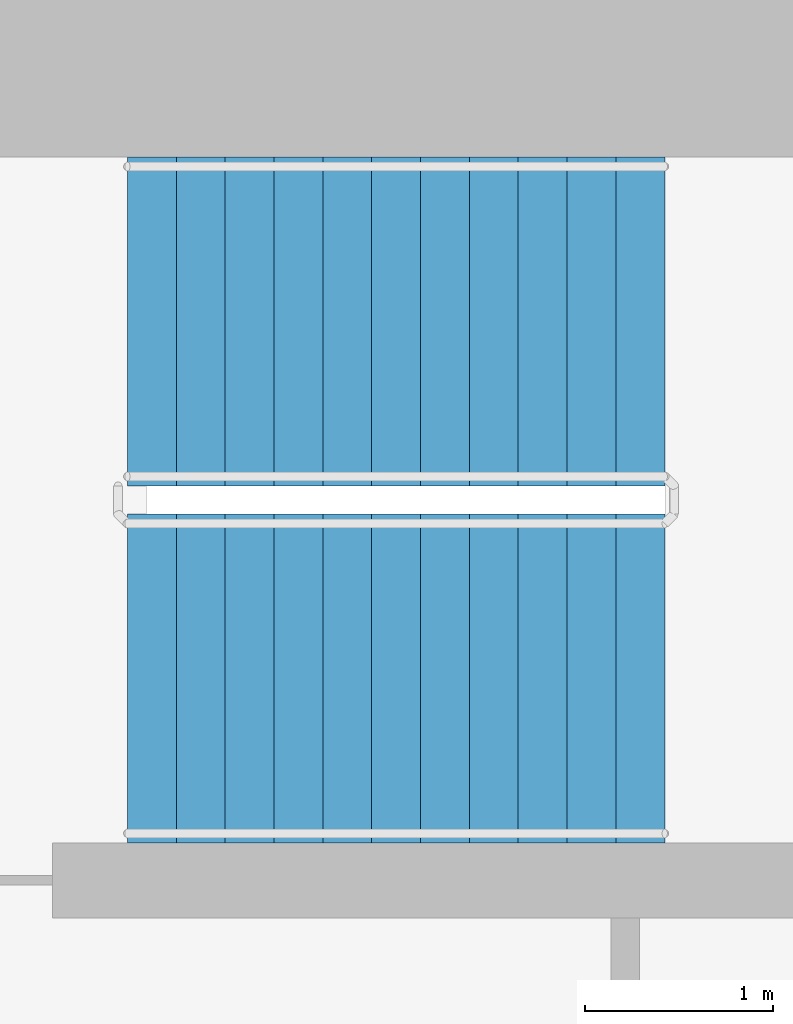
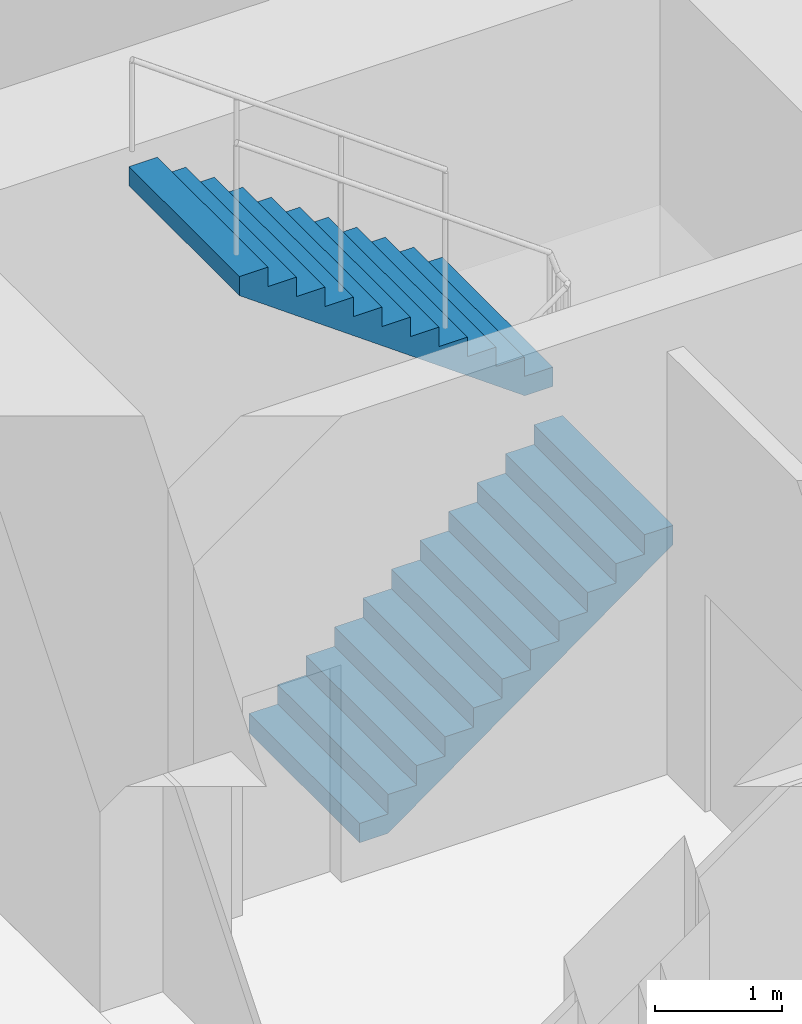
# One storey, part 35 of 51: 2 stair flights, 1 element without a shape of its own.
"""IFC4 building model written with IfcOpenShell, lengths in metres."""

from ifc_helpers import new_model, si_unit, direction, frame, origin, place, context, subcontext, project, spatial, faceted_brep, material, type_object, element, aggregate, save


model = new_model("IFC4")

# Units and contexts
model_context = context("Model", 3, precision=1e-05, world=origin(), true_north=direction((0.0, 1.0)))
body_context = subcontext(model_context, "Body", "Model", "MODEL_VIEW")
ifc_project = project(units=[si_unit("LENGTHUNIT", "METRE"), si_unit("AREAUNIT", "SQUARE_METRE"), si_unit("VOLUMEUNIT", "CUBIC_METRE"), si_unit("PLANEANGLEUNIT", "RADIAN"), si_unit("MASSUNIT", "GRAM", prefix="KILO")], contexts=[model_context])

# Site, building, storey
site_placement = place(None, origin())
site = spatial("IfcSite", under=ifc_project, at=site_placement, CompositionType="ELEMENT")
building_placement = place(site_placement, origin())
building = spatial("IfcBuilding", under=site, at=building_placement, Name="Ipe Terrace Towers", CompositionType="ELEMENT")
storey_placement = place(building_placement, frame((0.0, 0.0, 15.5)))
storey = spatial("IfcBuildingStorey", under=building, at=storey_placement, Name="L03", CompositionType="ELEMENT", Elevation=15.5)

# Stair, stair flights
ifc_material_1 = material(Name="Concrete C30/37", Category="concrete")
stair_type = type_object("IfcStairType", Name="Protected exit stair", PredefinedType="HALF_TURN_STAIR", material=ifc_material_1)
stair_placement = place(storey_placement, origin())
stair = element("IfcStair", 1, at=stair_placement, inside=storey, type_object=stair_type, Name="L03 Exit stair T1-C1", PredefinedType="HALF_TURN_STAIR")
ifc_material_2 = material(Name="Concrete C30/37", Category="concrete")
stair_flight_type = type_object("IfcStairFlightType", Name="Exit stair flight 1750", PredefinedType="STRAIGHT", material=ifc_material_2)
stair_flight_1_placement = place(storey_placement, frame((-26.300048828125, 2.77490234375, 0.0), z_axis=(0.0, 0.0, 1.0), x_axis=(1.0, 0.0, 0.0)))
stair_flight_1 = element("IfcStairFlight", 2, at=stair_flight_1_placement, type_object=stair_flight_type, Name="T1-ST1 flight 1", NumberOfRisers=12, NumberOfTreads=11, PredefinedType="STRAIGHT", RiserHeight=0.1875, TreadLength=0.26, context=body_context, shape_type="Brep", body=[
    faceted_brep([(0.25634765625, -0.875, 0.0), (2.860107421875, -0.875, 1.877685546875), (2.860107421875, -0.875, 2.0625), (2.60009765625, -0.875, 2.0625), (2.60009765625, -0.875, 1.875), (2.340087890625, -0.875, 1.875), (2.340087890625, -0.875, 1.6875), (2.080078125, -0.875, 1.6875), (2.080078125, -0.875, 1.5), (1.820068359375, -0.875, 1.5), (1.820068359375, -0.875, 1.3125), (1.56005859375, -0.875, 1.3125), (1.56005859375, -0.875, 1.125), (1.300048828125, -0.875, 1.125), (1.300048828125, -0.875, 0.9375), (1.0400390625, -0.875, 0.9375), (1.0400390625, -0.875, 0.75), (0.780029296875, -0.875, 0.75), (0.780029296875, -0.875, 0.5625), (0.52001953125, -0.875, 0.5625), (0.52001953125, -0.875, 0.375), (0.260009765625, -0.875, 0.375), (0.260009765625, -0.875, 0.1875), (0.0, -0.875, 0.1875), (0.0, -0.875, 0.0), (0.0, 0.875, 0.0), (0.0, 0.875, 0.1875), (0.260009765625, 0.875, 0.1875), (0.260009765625, 0.875, 0.375), (0.52001953125, 0.875, 0.375), (0.52001953125, 0.875, 0.5625), (0.780029296875, 0.875, 0.5625), (0.780029296875, 0.875, 0.75), (1.0400390625, 0.875, 0.75), (1.0400390625, 0.875, 0.9375), (1.300048828125, 0.875, 0.9375), (1.300048828125, 0.875, 1.125), (1.56005859375, 0.875, 1.125), (1.56005859375, 0.875, 1.3125), (1.820068359375, 0.875, 1.3125), (1.820068359375, 0.875, 1.5), (2.080078125, 0.875, 1.5), (2.080078125, 0.875, 1.6875), (2.340087890625, 0.875, 1.6875), (2.340087890625, 0.875, 1.875), (2.60009765625, 0.875, 1.875), (2.60009765625, 0.875, 2.0625), (2.860107421875, 0.875, 2.0625), (2.860107421875, 0.875, 1.877685546875), (0.25634765625, 0.875, 0.0), (0.0, -0.300048828125, 0.1875), (0.0, -0.1201171875, 0.1875), (0.0, -0.06005859375, 0.1875), (0.0, -0.030029296875, 0.1875), (0.0, -0.010009765625, 0.1875), (0.0, 0.0, 0.1875), (0.0, 0.010009765625, 0.1875), (0.0, 0.030029296875, 0.1875), (0.0, 0.06005859375, 0.1875), (0.0, 0.1201171875, 0.1875), (0.0, 0.300048828125, 0.1875), (0.0, 0.300048828125, 0.0), (0.0, 0.1201171875, 0.0), (0.0, 0.06005859375, 0.0), (0.0, 0.030029296875, 0.0), (0.0, 0.010009765625, 0.0), (0.0, 0.0, 0.0), (0.0, -0.010009765625, 0.0), (0.0, -0.030029296875, 0.0), (0.0, -0.06005859375, 0.0), (0.0, -0.1201171875, 0.0), (0.0, -0.300048828125, 0.0), (0.260009765625, -0.300048828125, 0.1875), (0.260009765625, -0.1201171875, 0.1875), (0.260009765625, -0.06005859375, 0.1875), (0.260009765625, -0.030029296875, 0.1875), (0.260009765625, -0.010009765625, 0.1875), (0.260009765625, 0.0, 0.1875), (0.260009765625, 0.010009765625, 0.1875), (0.260009765625, 0.030029296875, 0.1875), (0.260009765625, 0.06005859375, 0.1875), (0.260009765625, 0.1201171875, 0.1875), (0.260009765625, 0.300048828125, 0.1875), (0.260009765625, -0.300048828125, 0.375), (0.260009765625, -0.1201171875, 0.375), (0.260009765625, -0.06005859375, 0.375), (0.260009765625, -0.030029296875, 0.375), (0.260009765625, -0.010009765625, 0.375), (0.260009765625, 0.0, 0.375), (0.260009765625, 0.010009765625, 0.375), (0.260009765625, 0.030029296875, 0.375), (0.260009765625, 0.06005859375, 0.375), (0.260009765625, 0.1201171875, 0.375), (0.260009765625, 0.300048828125, 0.375), (0.52001953125, -0.300048828125, 0.375), (0.52001953125, -0.1201171875, 0.375), (0.52001953125, -0.06005859375, 0.375), (0.52001953125, -0.030029296875, 0.375), (0.52001953125, -0.010009765625, 0.375), (0.52001953125, 0.0, 0.375), (0.52001953125, 0.010009765625, 0.375), (0.52001953125, 0.030029296875, 0.375), (0.52001953125, 0.06005859375, 0.375), (0.52001953125, 0.1201171875, 0.375), (0.52001953125, 0.300048828125, 0.375), (0.52001953125, -0.300048828125, 0.5625), (0.52001953125, -0.1201171875, 0.5625), (0.52001953125, -0.06005859375, 0.5625), (0.52001953125, -0.030029296875, 0.5625), (0.52001953125, -0.010009765625, 0.5625), (0.52001953125, 0.0, 0.5625), (0.52001953125, 0.010009765625, 0.5625), (0.52001953125, 0.030029296875, 0.5625), (0.52001953125, 0.06005859375, 0.5625), (0.52001953125, 0.1201171875, 0.5625), (0.52001953125, 0.300048828125, 0.5625), (0.780029296875, -0.300048828125, 0.5625), (0.780029296875, -0.1201171875, 0.5625), (0.780029296875, -0.06005859375, 0.5625), (0.780029296875, -0.030029296875, 0.5625), (0.780029296875, -0.010009765625, 0.5625), (0.780029296875, 0.0, 0.5625), (0.780029296875, 0.010009765625, 0.5625), (0.780029296875, 0.030029296875, 0.5625), (0.780029296875, 0.06005859375, 0.5625), (0.780029296875, 0.1201171875, 0.5625), (0.780029296875, 0.300048828125, 0.5625), (0.780029296875, -0.300048828125, 0.75), (0.780029296875, -0.1201171875, 0.75), (0.780029296875, -0.06005859375, 0.75), (0.780029296875, -0.030029296875, 0.75), (0.780029296875, -0.010009765625, 0.75), (0.780029296875, 0.0, 0.75), (0.780029296875, 0.010009765625, 0.75), (0.780029296875, 0.030029296875, 0.75), (0.780029296875, 0.06005859375, 0.75), (0.780029296875, 0.1201171875, 0.75), (0.780029296875, 0.300048828125, 0.75), (1.0400390625, -0.300048828125, 0.75), (1.0400390625, -0.1201171875, 0.75), (1.0400390625, -0.06005859375, 0.75), (1.0400390625, -0.030029296875, 0.75), (1.0400390625, -0.010009765625, 0.75), (1.0400390625, 0.0, 0.75), (1.0400390625, 0.010009765625, 0.75), (1.0400390625, 0.030029296875, 0.75), (1.0400390625, 0.06005859375, 0.75), (1.0400390625, 0.1201171875, 0.75), (1.0400390625, 0.300048828125, 0.75), (1.0400390625, -0.300048828125, 0.9375), (1.0400390625, -0.1201171875, 0.9375), (1.0400390625, -0.06005859375, 0.9375), (1.0400390625, -0.030029296875, 0.9375), (1.0400390625, -0.010009765625, 0.9375), (1.0400390625, 0.0, 0.9375), (1.0400390625, 0.010009765625, 0.9375), (1.0400390625, 0.030029296875, 0.9375), (1.0400390625, 0.06005859375, 0.9375), (1.0400390625, 0.1201171875, 0.9375), (1.0400390625, 0.300048828125, 0.9375), (1.300048828125, -0.300048828125, 0.9375), (1.300048828125, -0.1201171875, 0.9375), (1.300048828125, -0.06005859375, 0.9375), (1.300048828125, -0.030029296875, 0.9375), (1.300048828125, -0.010009765625, 0.9375), (1.300048828125, 0.0, 0.9375), (1.300048828125, 0.010009765625, 0.9375), (1.300048828125, 0.030029296875, 0.9375), (1.300048828125, 0.06005859375, 0.9375), (1.300048828125, 0.1201171875, 0.9375), (1.300048828125, 0.300048828125, 0.9375), (1.300048828125, -0.300048828125, 1.125), (1.300048828125, -0.1201171875, 1.125), (1.300048828125, -0.06005859375, 1.125), (1.300048828125, -0.030029296875, 1.125), (1.300048828125, -0.010009765625, 1.125), (1.300048828125, 0.0, 1.125), (1.300048828125, 0.010009765625, 1.125), (1.300048828125, 0.030029296875, 1.125), (1.300048828125, 0.06005859375, 1.125), (1.300048828125, 0.1201171875, 1.125), (1.300048828125, 0.300048828125, 1.125), (1.56005859375, -0.300048828125, 1.125), (1.56005859375, -0.1201171875, 1.125), (1.56005859375, -0.06005859375, 1.125), (1.56005859375, -0.030029296875, 1.125), (1.56005859375, -0.010009765625, 1.125), (1.56005859375, 0.0, 1.125), (1.56005859375, 0.010009765625, 1.125), (1.56005859375, 0.030029296875, 1.125), (1.56005859375, 0.06005859375, 1.125), (1.56005859375, 0.1201171875, 1.125), (1.56005859375, 0.300048828125, 1.125), (1.56005859375, -0.300048828125, 1.3125), (1.56005859375, -0.1201171875, 1.3125), (1.56005859375, -0.06005859375, 1.3125), (1.56005859375, -0.030029296875, 1.3125), (1.56005859375, -0.010009765625, 1.3125), (1.56005859375, 0.0, 1.3125), (1.56005859375, 0.010009765625, 1.3125), (1.56005859375, 0.030029296875, 1.3125), (1.56005859375, 0.06005859375, 1.3125), (1.56005859375, 0.1201171875, 1.3125), (1.56005859375, 0.300048828125, 1.3125), (1.820068359375, -0.300048828125, 1.3125), (1.820068359375, -0.1201171875, 1.3125), (1.820068359375, -0.06005859375, 1.3125), (1.820068359375, -0.030029296875, 1.3125), (1.820068359375, -0.010009765625, 1.3125), (1.820068359375, 0.0, 1.3125), (1.820068359375, 0.010009765625, 1.3125), (1.820068359375, 0.030029296875, 1.3125), (1.820068359375, 0.06005859375, 1.3125), (1.820068359375, 0.1201171875, 1.3125), (1.820068359375, 0.300048828125, 1.3125), (1.820068359375, -0.300048828125, 1.5), (1.820068359375, -0.1201171875, 1.5), (1.820068359375, -0.06005859375, 1.5), (1.820068359375, -0.030029296875, 1.5), (1.820068359375, -0.010009765625, 1.5), (1.820068359375, 0.0, 1.5), (1.820068359375, 0.010009765625, 1.5), (1.820068359375, 0.030029296875, 1.5), (1.820068359375, 0.06005859375, 1.5), (1.820068359375, 0.1201171875, 1.5), (1.820068359375, 0.300048828125, 1.5), (2.080078125, -0.300048828125, 1.5), (2.080078125, -0.1201171875, 1.5), (2.080078125, -0.06005859375, 1.5), (2.080078125, -0.030029296875, 1.5), (2.080078125, -0.010009765625, 1.5), (2.080078125, 0.0, 1.5), (2.080078125, 0.010009765625, 1.5), (2.080078125, 0.030029296875, 1.5), (2.080078125, 0.06005859375, 1.5), (2.080078125, 0.1201171875, 1.5), (2.080078125, 0.300048828125, 1.5), (2.080078125, -0.300048828125, 1.6875), (2.080078125, -0.1201171875, 1.6875), (2.080078125, -0.06005859375, 1.6875), (2.080078125, -0.030029296875, 1.6875), (2.080078125, -0.010009765625, 1.6875), (2.080078125, 0.0, 1.6875), (2.080078125, 0.010009765625, 1.6875), (2.080078125, 0.030029296875, 1.6875), (2.080078125, 0.06005859375, 1.6875), (2.080078125, 0.1201171875, 1.6875), (2.080078125, 0.300048828125, 1.6875), (2.340087890625, -0.300048828125, 1.6875), (2.340087890625, -0.1201171875, 1.6875), (2.340087890625, -0.06005859375, 1.6875), (2.340087890625, -0.030029296875, 1.6875), (2.340087890625, -0.010009765625, 1.6875), (2.340087890625, 0.0, 1.6875), (2.340087890625, 0.010009765625, 1.6875), (2.340087890625, 0.030029296875, 1.6875), (2.340087890625, 0.06005859375, 1.6875), (2.340087890625, 0.1201171875, 1.6875), (2.340087890625, 0.300048828125, 1.6875), (2.340087890625, -0.300048828125, 1.875), (2.340087890625, -0.1201171875, 1.875), (2.340087890625, -0.06005859375, 1.875), (2.340087890625, -0.030029296875, 1.875), (2.340087890625, -0.010009765625, 1.875), (2.340087890625, 0.0, 1.875), (2.340087890625, 0.010009765625, 1.875), (2.340087890625, 0.030029296875, 1.875), (2.340087890625, 0.06005859375, 1.875), (2.340087890625, 0.1201171875, 1.875), (2.340087890625, 0.300048828125, 1.875), (2.60009765625, -0.300048828125, 1.875), (2.60009765625, -0.1201171875, 1.875), (2.60009765625, -0.06005859375, 1.875), (2.60009765625, -0.030029296875, 1.875), (2.60009765625, -0.010009765625, 1.875), (2.60009765625, 0.0, 1.875), (2.60009765625, 0.010009765625, 1.875), (2.60009765625, 0.030029296875, 1.875), (2.60009765625, 0.06005859375, 1.875), (2.60009765625, 0.1201171875, 1.875), (2.60009765625, 0.300048828125, 1.875), (2.60009765625, -0.300048828125, 2.0625), (2.60009765625, -0.1201171875, 2.0625), (2.60009765625, -0.06005859375, 2.0625), (2.60009765625, -0.030029296875, 2.0625), (2.60009765625, -0.010009765625, 2.0625), (2.60009765625, 0.0, 2.0625), (2.60009765625, 0.010009765625, 2.0625), (2.60009765625, 0.030029296875, 2.0625), (2.60009765625, 0.06005859375, 2.0625), (2.60009765625, 0.1201171875, 2.0625), (2.60009765625, 0.300048828125, 2.0625), (2.860107421875, -0.300048828125, 2.0625), (2.860107421875, -0.1201171875, 2.0625), (2.860107421875, -0.06005859375, 2.0625), (2.860107421875, -0.030029296875, 2.0625), (2.860107421875, -0.010009765625, 2.0625), (2.860107421875, 0.0, 2.0625), (2.860107421875, 0.010009765625, 2.0625), (2.860107421875, 0.030029296875, 2.0625), (2.860107421875, 0.06005859375, 2.0625), (2.860107421875, 0.1201171875, 2.0625), (2.860107421875, 0.300048828125, 2.0625), (2.860107421875, -0.300048828125, 1.877685546875), (2.860107421875, -0.1201171875, 1.877685546875), (2.860107421875, -0.06005859375, 1.877685546875), (2.860107421875, -0.030029296875, 1.877685546875), (2.860107421875, -0.010009765625, 1.877685546875), (2.860107421875, 0.0, 1.877685546875), (2.860107421875, 0.010009765625, 1.877685546875), (2.860107421875, 0.030029296875, 1.877685546875), (2.860107421875, 0.06005859375, 1.877685546875), (2.860107421875, 0.1201171875, 1.877685546875), (2.860107421875, 0.300048828125, 1.877685546875), (0.25634765625, -0.300048828125, 0.0), (0.25634765625, -0.1201171875, 0.0), (0.25634765625, -0.06005859375, 0.0), (0.25634765625, -0.030029296875, 0.0), (0.25634765625, -0.010009765625, 0.0), (0.25634765625, 0.0, 0.0), (0.25634765625, 0.010009765625, 0.0), (0.25634765625, 0.030029296875, 0.0), (0.25634765625, 0.06005859375, 0.0), (0.25634765625, 0.1201171875, 0.0), (0.25634765625, 0.300048828125, 0.0)], [[[0, 1, 2, 3, 4, 5, 6, 7, 8, 9, 10, 11, 12, 13, 14, 15, 16, 17, 18, 19, 20, 21, 22, 23, 24]], [[25, 26, 27, 28, 29, 30, 31, 32, 33, 34, 35, 36, 37, 38, 39, 40, 41, 42, 43, 44, 45, 46, 47, 48, 49]], [[23, 50, 51, 52, 53, 54, 55, 56, 57, 58, 59, 60, 26, 25, 61, 62, 63, 64, 65, 66, 67, 68, 69, 70, 71, 24]], [[22, 72, 73, 74, 75, 76, 77, 78, 79, 80, 81, 82, 27, 26, 60, 59, 58, 57, 56, 55, 54, 53, 52, 51, 50, 23]], [[21, 83, 84, 85, 86, 87, 88, 89, 90, 91, 92, 93, 28, 27, 82, 81, 80, 79, 78, 77, 76, 75, 74, 73, 72, 22]], [[20, 94, 95, 96, 97, 98, 99, 100, 101, 102, 103, 104, 29, 28, 93, 92, 91, 90, 89, 88, 87, 86, 85, 84, 83, 21]], [[19, 105, 106, 107, 108, 109, 110, 111, 112, 113, 114, 115, 30, 29, 104, 103, 102, 101, 100, 99, 98, 97, 96, 95, 94, 20]], [[18, 116, 117, 118, 119, 120, 121, 122, 123, 124, 125, 126, 31, 30, 115, 114, 113, 112, 111, 110, 109, 108, 107, 106, 105, 19]], [[17, 127, 128, 129, 130, 131, 132, 133, 134, 135, 136, 137, 32, 31, 126, 125, 124, 123, 122, 121, 120, 119, 118, 117, 116, 18]], [[16, 138, 139, 140, 141, 142, 143, 144, 145, 146, 147, 148, 33, 32, 137, 136, 135, 134, 133, 132, 131, 130, 129, 128, 127, 17]], [[15, 149, 150, 151, 152, 153, 154, 155, 156, 157, 158, 159, 34, 33, 148, 147, 146, 145, 144, 143, 142, 141, 140, 139, 138, 16]], [[14, 160, 161, 162, 163, 164, 165, 166, 167, 168, 169, 170, 35, 34, 159, 158, 157, 156, 155, 154, 153, 152, 151, 150, 149, 15]], [[13, 171, 172, 173, 174, 175, 176, 177, 178, 179, 180, 181, 36, 35, 170, 169, 168, 167, 166, 165, 164, 163, 162, 161, 160, 14]], [[12, 182, 183, 184, 185, 186, 187, 188, 189, 190, 191, 192, 37, 36, 181, 180, 179, 178, 177, 176, 175, 174, 173, 172, 171, 13]], [[11, 193, 194, 195, 196, 197, 198, 199, 200, 201, 202, 203, 38, 37, 192, 191, 190, 189, 188, 187, 186, 185, 184, 183, 182, 12]], [[10, 204, 205, 206, 207, 208, 209, 210, 211, 212, 213, 214, 39, 38, 203, 202, 201, 200, 199, 198, 197, 196, 195, 194, 193, 11]], [[9, 215, 216, 217, 218, 219, 220, 221, 222, 223, 224, 225, 40, 39, 214, 213, 212, 211, 210, 209, 208, 207, 206, 205, 204, 10]], [[8, 226, 227, 228, 229, 230, 231, 232, 233, 234, 235, 236, 41, 40, 225, 224, 223, 222, 221, 220, 219, 218, 217, 216, 215, 9]], [[7, 237, 238, 239, 240, 241, 242, 243, 244, 245, 246, 247, 42, 41, 236, 235, 234, 233, 232, 231, 230, 229, 228, 227, 226, 8]], [[6, 248, 249, 250, 251, 252, 253, 254, 255, 256, 257, 258, 43, 42, 247, 246, 245, 244, 243, 242, 241, 240, 239, 238, 237, 7]], [[5, 259, 260, 261, 262, 263, 264, 265, 266, 267, 268, 269, 44, 43, 258, 257, 256, 255, 254, 253, 252, 251, 250, 249, 248, 6]], [[4, 270, 271, 272, 273, 274, 275, 276, 277, 278, 279, 280, 45, 44, 269, 268, 267, 266, 265, 264, 263, 262, 261, 260, 259, 5]], [[3, 281, 282, 283, 284, 285, 286, 287, 288, 289, 290, 291, 46, 45, 280, 279, 278, 277, 276, 275, 274, 273, 272, 271, 270, 4]], [[2, 292, 293, 294, 295, 296, 297, 298, 299, 300, 301, 302, 47, 46, 291, 290, 289, 288, 287, 286, 285, 284, 283, 282, 281, 3]], [[1, 303, 304, 305, 306, 307, 308, 309, 310, 311, 312, 313, 48, 47, 302, 301, 300, 299, 298, 297, 296, 295, 294, 293, 292, 2]], [[0, 314, 315, 316, 317, 318, 319, 320, 321, 322, 323, 324, 49, 48, 313, 312, 311, 310, 309, 308, 307, 306, 305, 304, 303, 1]], [[24, 71, 70, 69, 68, 67, 66, 65, 64, 63, 62, 61, 25, 49, 324, 323, 322, 321, 320, 319, 318, 317, 316, 315, 314, 0]]]),
])
stair_flight_2_placement = place(storey_placement, frame((-23.43994140625, 4.675048828125, 2.25), z_axis=(0.0, 0.0, 1.0), x_axis=(-1.0, 0.0, 0.0)))
stair_flight_2 = element("IfcStairFlight", 3, at=stair_flight_2_placement, type_object=stair_flight_type, Name="T1-ST1 flight 2", NumberOfRisers=12, NumberOfTreads=11, PredefinedType="STRAIGHT", RiserHeight=0.1875, TreadLength=0.26, context=body_context, shape_type="Brep", body=[
    faceted_brep([(0.25634765625, -0.875, 0.0), (2.860107421875, -0.875, 1.877685546875), (2.860107421875, -0.875, 2.0625), (2.60009765625, -0.875, 2.0625), (2.60009765625, -0.875, 1.875), (2.340087890625, -0.875, 1.875), (2.340087890625, -0.875, 1.6875), (2.080078125, -0.875, 1.6875), (2.080078125, -0.875, 1.5), (1.820068359375, -0.875, 1.5), (1.820068359375, -0.875, 1.3125), (1.56005859375, -0.875, 1.3125), (1.56005859375, -0.875, 1.125), (1.300048828125, -0.875, 1.125), (1.300048828125, -0.875, 0.9375), (1.0400390625, -0.875, 0.9375), (1.0400390625, -0.875, 0.75), (0.780029296875, -0.875, 0.75), (0.780029296875, -0.875, 0.5625), (0.52001953125, -0.875, 0.5625), (0.52001953125, -0.875, 0.375), (0.260009765625, -0.875, 0.375), (0.260009765625, -0.875, 0.1875), (0.0, -0.875, 0.1875), (0.0, -0.875, 0.0), (0.0, 0.875, 0.0), (0.0, 0.875, 0.1875), (0.260009765625, 0.875, 0.1875), (0.260009765625, 0.875, 0.375), (0.52001953125, 0.875, 0.375), (0.52001953125, 0.875, 0.5625), (0.780029296875, 0.875, 0.5625), (0.780029296875, 0.875, 0.75), (1.0400390625, 0.875, 0.75), (1.0400390625, 0.875, 0.9375), (1.300048828125, 0.875, 0.9375), (1.300048828125, 0.875, 1.125), (1.56005859375, 0.875, 1.125), (1.56005859375, 0.875, 1.3125), (1.820068359375, 0.875, 1.3125), (1.820068359375, 0.875, 1.5), (2.080078125, 0.875, 1.5), (2.080078125, 0.875, 1.6875), (2.340087890625, 0.875, 1.6875), (2.340087890625, 0.875, 1.875), (2.60009765625, 0.875, 1.875), (2.60009765625, 0.875, 2.0625), (2.860107421875, 0.875, 2.0625), (2.860107421875, 0.875, 1.877685546875), (0.25634765625, 0.875, 0.0), (0.0, -0.300048828125, 0.1875), (0.0, -0.1201171875, 0.1875), (0.0, -0.06005859375, 0.1875), (0.0, -0.030029296875, 0.1875), (0.0, -0.010009765625, 0.1875), (0.0, 0.0, 0.1875), (0.0, 0.010009765625, 0.1875), (0.0, 0.030029296875, 0.1875), (0.0, 0.06005859375, 0.1875), (0.0, 0.1201171875, 0.1875), (0.0, 0.300048828125, 0.1875), (0.0, 0.300048828125, 0.0), (0.0, 0.1201171875, 0.0), (0.0, 0.06005859375, 0.0), (0.0, 0.030029296875, 0.0), (0.0, 0.010009765625, 0.0), (0.0, 0.0, 0.0), (0.0, -0.010009765625, 0.0), (0.0, -0.030029296875, 0.0), (0.0, -0.06005859375, 0.0), (0.0, -0.1201171875, 0.0), (0.0, -0.300048828125, 0.0), (0.260009765625, -0.300048828125, 0.1875), (0.260009765625, -0.1201171875, 0.1875), (0.260009765625, -0.06005859375, 0.1875), (0.260009765625, -0.030029296875, 0.1875), (0.260009765625, -0.010009765625, 0.1875), (0.260009765625, 0.0, 0.1875), (0.260009765625, 0.010009765625, 0.1875), (0.260009765625, 0.030029296875, 0.1875), (0.260009765625, 0.06005859375, 0.1875), (0.260009765625, 0.1201171875, 0.1875), (0.260009765625, 0.300048828125, 0.1875), (0.260009765625, -0.300048828125, 0.375), (0.260009765625, -0.1201171875, 0.375), (0.260009765625, -0.06005859375, 0.375), (0.260009765625, -0.030029296875, 0.375), (0.260009765625, -0.010009765625, 0.375), (0.260009765625, 0.0, 0.375), (0.260009765625, 0.010009765625, 0.375), (0.260009765625, 0.030029296875, 0.375), (0.260009765625, 0.06005859375, 0.375), (0.260009765625, 0.1201171875, 0.375), (0.260009765625, 0.300048828125, 0.375), (0.52001953125, -0.300048828125, 0.375), (0.52001953125, -0.1201171875, 0.375), (0.52001953125, -0.06005859375, 0.375), (0.52001953125, -0.030029296875, 0.375), (0.52001953125, -0.010009765625, 0.375), (0.52001953125, 0.0, 0.375), (0.52001953125, 0.010009765625, 0.375), (0.52001953125, 0.030029296875, 0.375), (0.52001953125, 0.06005859375, 0.375), (0.52001953125, 0.1201171875, 0.375), (0.52001953125, 0.300048828125, 0.375), (0.52001953125, -0.300048828125, 0.5625), (0.52001953125, -0.1201171875, 0.5625), (0.52001953125, -0.06005859375, 0.5625), (0.52001953125, -0.030029296875, 0.5625), (0.52001953125, -0.010009765625, 0.5625), (0.52001953125, 0.0, 0.5625), (0.52001953125, 0.010009765625, 0.5625), (0.52001953125, 0.030029296875, 0.5625), (0.52001953125, 0.06005859375, 0.5625), (0.52001953125, 0.1201171875, 0.5625), (0.52001953125, 0.300048828125, 0.5625), (0.780029296875, -0.300048828125, 0.5625), (0.780029296875, -0.1201171875, 0.5625), (0.780029296875, -0.06005859375, 0.5625), (0.780029296875, -0.030029296875, 0.5625), (0.780029296875, -0.010009765625, 0.5625), (0.780029296875, 0.0, 0.5625), (0.780029296875, 0.010009765625, 0.5625), (0.780029296875, 0.030029296875, 0.5625), (0.780029296875, 0.06005859375, 0.5625), (0.780029296875, 0.1201171875, 0.5625), (0.780029296875, 0.300048828125, 0.5625), (0.780029296875, -0.300048828125, 0.75), (0.780029296875, -0.1201171875, 0.75), (0.780029296875, -0.06005859375, 0.75), (0.780029296875, -0.030029296875, 0.75), (0.780029296875, -0.010009765625, 0.75), (0.780029296875, 0.0, 0.75), (0.780029296875, 0.010009765625, 0.75), (0.780029296875, 0.030029296875, 0.75), (0.780029296875, 0.06005859375, 0.75), (0.780029296875, 0.1201171875, 0.75), (0.780029296875, 0.300048828125, 0.75), (1.0400390625, -0.300048828125, 0.75), (1.0400390625, -0.1201171875, 0.75), (1.0400390625, -0.06005859375, 0.75), (1.0400390625, -0.030029296875, 0.75), (1.0400390625, -0.010009765625, 0.75), (1.0400390625, 0.0, 0.75), (1.0400390625, 0.010009765625, 0.75), (1.0400390625, 0.030029296875, 0.75), (1.0400390625, 0.06005859375, 0.75), (1.0400390625, 0.1201171875, 0.75), (1.0400390625, 0.300048828125, 0.75), (1.0400390625, -0.300048828125, 0.9375), (1.0400390625, -0.1201171875, 0.9375), (1.0400390625, -0.06005859375, 0.9375), (1.0400390625, -0.030029296875, 0.9375), (1.0400390625, -0.010009765625, 0.9375), (1.0400390625, 0.0, 0.9375), (1.0400390625, 0.010009765625, 0.9375), (1.0400390625, 0.030029296875, 0.9375), (1.0400390625, 0.06005859375, 0.9375), (1.0400390625, 0.1201171875, 0.9375), (1.0400390625, 0.300048828125, 0.9375), (1.300048828125, -0.300048828125, 0.9375), (1.300048828125, -0.1201171875, 0.9375), (1.300048828125, -0.06005859375, 0.9375), (1.300048828125, -0.030029296875, 0.9375), (1.300048828125, -0.010009765625, 0.9375), (1.300048828125, 0.0, 0.9375), (1.300048828125, 0.010009765625, 0.9375), (1.300048828125, 0.030029296875, 0.9375), (1.300048828125, 0.06005859375, 0.9375), (1.300048828125, 0.1201171875, 0.9375), (1.300048828125, 0.300048828125, 0.9375), (1.300048828125, -0.300048828125, 1.125), (1.300048828125, -0.1201171875, 1.125), (1.300048828125, -0.06005859375, 1.125), (1.300048828125, -0.030029296875, 1.125), (1.300048828125, -0.010009765625, 1.125), (1.300048828125, 0.0, 1.125), (1.300048828125, 0.010009765625, 1.125), (1.300048828125, 0.030029296875, 1.125), (1.300048828125, 0.06005859375, 1.125), (1.300048828125, 0.1201171875, 1.125), (1.300048828125, 0.300048828125, 1.125), (1.56005859375, -0.300048828125, 1.125), (1.56005859375, -0.1201171875, 1.125), (1.56005859375, -0.06005859375, 1.125), (1.56005859375, -0.030029296875, 1.125), (1.56005859375, -0.010009765625, 1.125), (1.56005859375, 0.0, 1.125), (1.56005859375, 0.010009765625, 1.125), (1.56005859375, 0.030029296875, 1.125), (1.56005859375, 0.06005859375, 1.125), (1.56005859375, 0.1201171875, 1.125), (1.56005859375, 0.300048828125, 1.125), (1.56005859375, -0.300048828125, 1.3125), (1.56005859375, -0.1201171875, 1.3125), (1.56005859375, -0.06005859375, 1.3125), (1.56005859375, -0.030029296875, 1.3125), (1.56005859375, -0.010009765625, 1.3125), (1.56005859375, 0.0, 1.3125), (1.56005859375, 0.010009765625, 1.3125), (1.56005859375, 0.030029296875, 1.3125), (1.56005859375, 0.06005859375, 1.3125), (1.56005859375, 0.1201171875, 1.3125), (1.56005859375, 0.300048828125, 1.3125), (1.820068359375, -0.300048828125, 1.3125), (1.820068359375, -0.1201171875, 1.3125), (1.820068359375, -0.06005859375, 1.3125), (1.820068359375, -0.030029296875, 1.3125), (1.820068359375, -0.010009765625, 1.3125), (1.820068359375, 0.0, 1.3125), (1.820068359375, 0.010009765625, 1.3125), (1.820068359375, 0.030029296875, 1.3125), (1.820068359375, 0.06005859375, 1.3125), (1.820068359375, 0.1201171875, 1.3125), (1.820068359375, 0.300048828125, 1.3125), (1.820068359375, -0.300048828125, 1.5), (1.820068359375, -0.1201171875, 1.5), (1.820068359375, -0.06005859375, 1.5), (1.820068359375, -0.030029296875, 1.5), (1.820068359375, -0.010009765625, 1.5), (1.820068359375, 0.0, 1.5), (1.820068359375, 0.010009765625, 1.5), (1.820068359375, 0.030029296875, 1.5), (1.820068359375, 0.06005859375, 1.5), (1.820068359375, 0.1201171875, 1.5), (1.820068359375, 0.300048828125, 1.5), (2.080078125, -0.300048828125, 1.5), (2.080078125, -0.1201171875, 1.5), (2.080078125, -0.06005859375, 1.5), (2.080078125, -0.030029296875, 1.5), (2.080078125, -0.010009765625, 1.5), (2.080078125, 0.0, 1.5), (2.080078125, 0.010009765625, 1.5), (2.080078125, 0.030029296875, 1.5), (2.080078125, 0.06005859375, 1.5), (2.080078125, 0.1201171875, 1.5), (2.080078125, 0.300048828125, 1.5), (2.080078125, -0.300048828125, 1.6875), (2.080078125, -0.1201171875, 1.6875), (2.080078125, -0.06005859375, 1.6875), (2.080078125, -0.030029296875, 1.6875), (2.080078125, -0.010009765625, 1.6875), (2.080078125, 0.0, 1.6875), (2.080078125, 0.010009765625, 1.6875), (2.080078125, 0.030029296875, 1.6875), (2.080078125, 0.06005859375, 1.6875), (2.080078125, 0.1201171875, 1.6875), (2.080078125, 0.300048828125, 1.6875), (2.340087890625, -0.300048828125, 1.6875), (2.340087890625, -0.1201171875, 1.6875), (2.340087890625, -0.06005859375, 1.6875), (2.340087890625, -0.030029296875, 1.6875), (2.340087890625, -0.010009765625, 1.6875), (2.340087890625, 0.0, 1.6875), (2.340087890625, 0.010009765625, 1.6875), (2.340087890625, 0.030029296875, 1.6875), (2.340087890625, 0.06005859375, 1.6875), (2.340087890625, 0.1201171875, 1.6875), (2.340087890625, 0.300048828125, 1.6875), (2.340087890625, -0.300048828125, 1.875), (2.340087890625, -0.1201171875, 1.875), (2.340087890625, -0.06005859375, 1.875), (2.340087890625, -0.030029296875, 1.875), (2.340087890625, -0.010009765625, 1.875), (2.340087890625, 0.0, 1.875), (2.340087890625, 0.010009765625, 1.875), (2.340087890625, 0.030029296875, 1.875), (2.340087890625, 0.06005859375, 1.875), (2.340087890625, 0.1201171875, 1.875), (2.340087890625, 0.300048828125, 1.875), (2.60009765625, -0.300048828125, 1.875), (2.60009765625, -0.1201171875, 1.875), (2.60009765625, -0.06005859375, 1.875), (2.60009765625, -0.030029296875, 1.875), (2.60009765625, -0.010009765625, 1.875), (2.60009765625, 0.0, 1.875), (2.60009765625, 0.010009765625, 1.875), (2.60009765625, 0.030029296875, 1.875), (2.60009765625, 0.06005859375, 1.875), (2.60009765625, 0.1201171875, 1.875), (2.60009765625, 0.300048828125, 1.875), (2.60009765625, -0.300048828125, 2.0625), (2.60009765625, -0.1201171875, 2.0625), (2.60009765625, -0.06005859375, 2.0625), (2.60009765625, -0.030029296875, 2.0625), (2.60009765625, -0.010009765625, 2.0625), (2.60009765625, 0.0, 2.0625), (2.60009765625, 0.010009765625, 2.0625), (2.60009765625, 0.030029296875, 2.0625), (2.60009765625, 0.06005859375, 2.0625), (2.60009765625, 0.1201171875, 2.0625), (2.60009765625, 0.300048828125, 2.0625), (2.860107421875, -0.300048828125, 2.0625), (2.860107421875, -0.1201171875, 2.0625), (2.860107421875, -0.06005859375, 2.0625), (2.860107421875, -0.030029296875, 2.0625), (2.860107421875, -0.010009765625, 2.0625), (2.860107421875, 0.0, 2.0625), (2.860107421875, 0.010009765625, 2.0625), (2.860107421875, 0.030029296875, 2.0625), (2.860107421875, 0.06005859375, 2.0625), (2.860107421875, 0.1201171875, 2.0625), (2.860107421875, 0.300048828125, 2.0625), (2.860107421875, -0.300048828125, 1.877685546875), (2.860107421875, -0.1201171875, 1.877685546875), (2.860107421875, -0.06005859375, 1.877685546875), (2.860107421875, -0.030029296875, 1.877685546875), (2.860107421875, -0.010009765625, 1.877685546875), (2.860107421875, 0.0, 1.877685546875), (2.860107421875, 0.010009765625, 1.877685546875), (2.860107421875, 0.030029296875, 1.877685546875), (2.860107421875, 0.06005859375, 1.877685546875), (2.860107421875, 0.1201171875, 1.877685546875), (2.860107421875, 0.300048828125, 1.877685546875), (0.25634765625, -0.300048828125, 0.0), (0.25634765625, -0.1201171875, 0.0), (0.25634765625, -0.06005859375, 0.0), (0.25634765625, -0.030029296875, 0.0), (0.25634765625, -0.010009765625, 0.0), (0.25634765625, 0.0, 0.0), (0.25634765625, 0.010009765625, 0.0), (0.25634765625, 0.030029296875, 0.0), (0.25634765625, 0.06005859375, 0.0), (0.25634765625, 0.1201171875, 0.0), (0.25634765625, 0.300048828125, 0.0)], [[[0, 1, 2, 3, 4, 5, 6, 7, 8, 9, 10, 11, 12, 13, 14, 15, 16, 17, 18, 19, 20, 21, 22, 23, 24]], [[25, 26, 27, 28, 29, 30, 31, 32, 33, 34, 35, 36, 37, 38, 39, 40, 41, 42, 43, 44, 45, 46, 47, 48, 49]], [[23, 50, 51, 52, 53, 54, 55, 56, 57, 58, 59, 60, 26, 25, 61, 62, 63, 64, 65, 66, 67, 68, 69, 70, 71, 24]], [[22, 72, 73, 74, 75, 76, 77, 78, 79, 80, 81, 82, 27, 26, 60, 59, 58, 57, 56, 55, 54, 53, 52, 51, 50, 23]], [[21, 83, 84, 85, 86, 87, 88, 89, 90, 91, 92, 93, 28, 27, 82, 81, 80, 79, 78, 77, 76, 75, 74, 73, 72, 22]], [[20, 94, 95, 96, 97, 98, 99, 100, 101, 102, 103, 104, 29, 28, 93, 92, 91, 90, 89, 88, 87, 86, 85, 84, 83, 21]], [[19, 105, 106, 107, 108, 109, 110, 111, 112, 113, 114, 115, 30, 29, 104, 103, 102, 101, 100, 99, 98, 97, 96, 95, 94, 20]], [[18, 116, 117, 118, 119, 120, 121, 122, 123, 124, 125, 126, 31, 30, 115, 114, 113, 112, 111, 110, 109, 108, 107, 106, 105, 19]], [[17, 127, 128, 129, 130, 131, 132, 133, 134, 135, 136, 137, 32, 31, 126, 125, 124, 123, 122, 121, 120, 119, 118, 117, 116, 18]], [[16, 138, 139, 140, 141, 142, 143, 144, 145, 146, 147, 148, 33, 32, 137, 136, 135, 134, 133, 132, 131, 130, 129, 128, 127, 17]], [[15, 149, 150, 151, 152, 153, 154, 155, 156, 157, 158, 159, 34, 33, 148, 147, 146, 145, 144, 143, 142, 141, 140, 139, 138, 16]], [[14, 160, 161, 162, 163, 164, 165, 166, 167, 168, 169, 170, 35, 34, 159, 158, 157, 156, 155, 154, 153, 152, 151, 150, 149, 15]], [[13, 171, 172, 173, 174, 175, 176, 177, 178, 179, 180, 181, 36, 35, 170, 169, 168, 167, 166, 165, 164, 163, 162, 161, 160, 14]], [[12, 182, 183, 184, 185, 186, 187, 188, 189, 190, 191, 192, 37, 36, 181, 180, 179, 178, 177, 176, 175, 174, 173, 172, 171, 13]], [[11, 193, 194, 195, 196, 197, 198, 199, 200, 201, 202, 203, 38, 37, 192, 191, 190, 189, 188, 187, 186, 185, 184, 183, 182, 12]], [[10, 204, 205, 206, 207, 208, 209, 210, 211, 212, 213, 214, 39, 38, 203, 202, 201, 200, 199, 198, 197, 196, 195, 194, 193, 11]], [[9, 215, 216, 217, 218, 219, 220, 221, 222, 223, 224, 225, 40, 39, 214, 213, 212, 211, 210, 209, 208, 207, 206, 205, 204, 10]], [[8, 226, 227, 228, 229, 230, 231, 232, 233, 234, 235, 236, 41, 40, 225, 224, 223, 222, 221, 220, 219, 218, 217, 216, 215, 9]], [[7, 237, 238, 239, 240, 241, 242, 243, 244, 245, 246, 247, 42, 41, 236, 235, 234, 233, 232, 231, 230, 229, 228, 227, 226, 8]], [[6, 248, 249, 250, 251, 252, 253, 254, 255, 256, 257, 258, 43, 42, 247, 246, 245, 244, 243, 242, 241, 240, 239, 238, 237, 7]], [[5, 259, 260, 261, 262, 263, 264, 265, 266, 267, 268, 269, 44, 43, 258, 257, 256, 255, 254, 253, 252, 251, 250, 249, 248, 6]], [[4, 270, 271, 272, 273, 274, 275, 276, 277, 278, 279, 280, 45, 44, 269, 268, 267, 266, 265, 264, 263, 262, 261, 260, 259, 5]], [[3, 281, 282, 283, 284, 285, 286, 287, 288, 289, 290, 291, 46, 45, 280, 279, 278, 277, 276, 275, 274, 273, 272, 271, 270, 4]], [[2, 292, 293, 294, 295, 296, 297, 298, 299, 300, 301, 302, 47, 46, 291, 290, 289, 288, 287, 286, 285, 284, 283, 282, 281, 3]], [[1, 303, 304, 305, 306, 307, 308, 309, 310, 311, 312, 313, 48, 47, 302, 301, 300, 299, 298, 297, 296, 295, 294, 293, 292, 2]], [[0, 314, 315, 316, 317, 318, 319, 320, 321, 322, 323, 324, 49, 48, 313, 312, 311, 310, 309, 308, 307, 306, 305, 304, 303, 1]], [[24, 71, 70, 69, 68, 67, 66, 65, 64, 63, 62, 61, 25, 49, 324, 323, 322, 321, 320, 319, 318, 317, 316, 315, 314, 0]]]),
])
aggregate(stair, [stair_flight_1, stair_flight_2])

save(model, "model.ifc")
